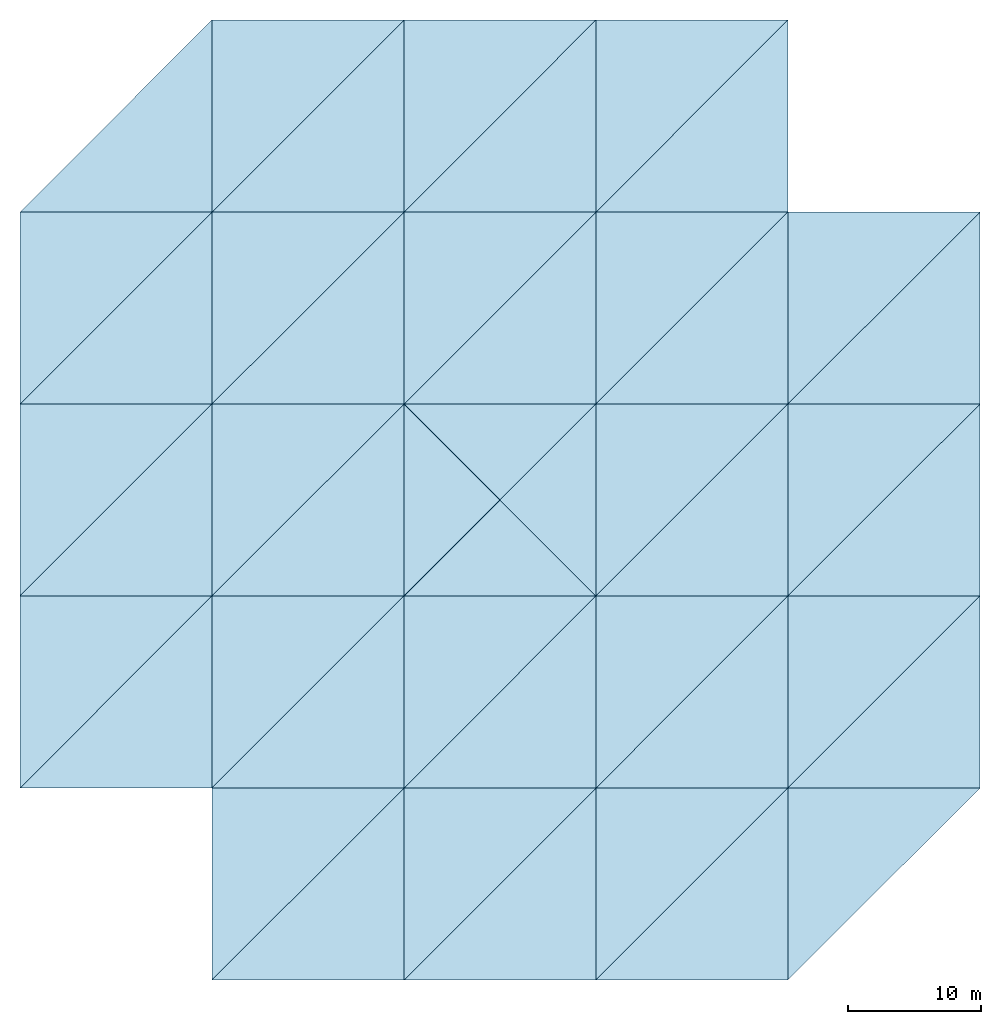
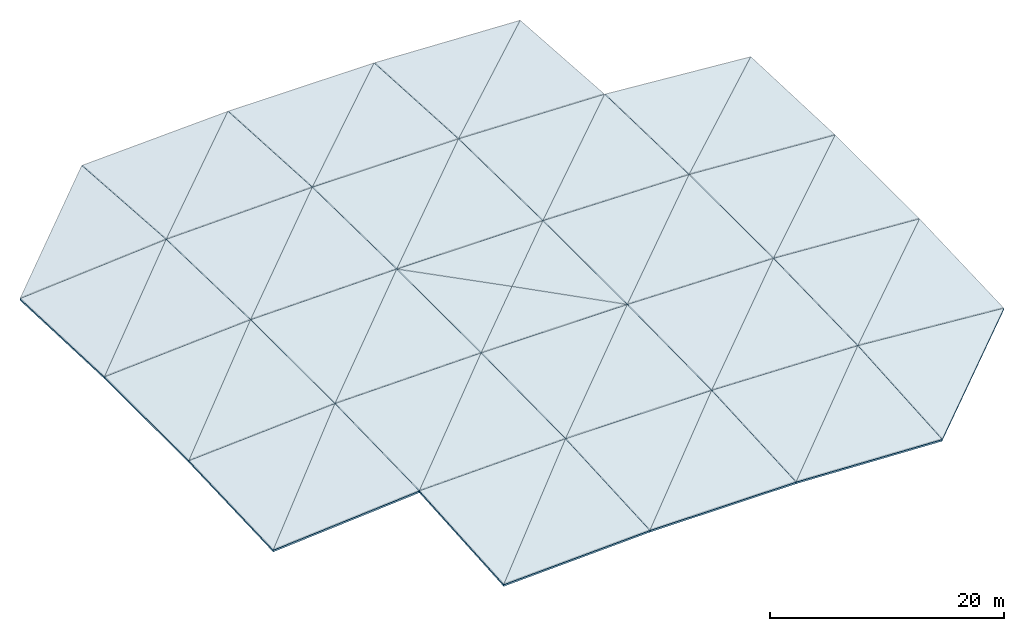
# One storey, part 1 of 2: 46 slabs.
"""IFC4 building model written with IfcOpenShell, lengths in metres."""

from ifc_helpers import new_model, si_unit, direction, frame, origin, place, context, subcontext, project, spatial, polyline, outline, extrude, material, layer, layer_set, type_object, element, save


model = new_model("IFC4")

# Units and contexts
model_context = context("Model", 3, precision=1e-05, world=origin(), true_north=direction((0.0, 1.0)))
body_context = subcontext(model_context, "Body", "Model", "MODEL_VIEW")
ifc_project = project(units=[si_unit("LENGTHUNIT", "METRE"), si_unit("AREAUNIT", "SQUARE_METRE"), si_unit("VOLUMEUNIT", "CUBIC_METRE"), si_unit("PLANEANGLEUNIT", "RADIAN"), si_unit("MASSUNIT", "GRAM", prefix="KILO")], contexts=[model_context])

# Site, building, storey
site_placement = place(None, origin())
site = spatial("IfcSite", under=ifc_project, at=site_placement, CompositionType="ELEMENT")
building_placement = place(site_placement, origin())
building = spatial("IfcBuilding", under=site, at=building_placement, Name="Qandorah Velis Arena", CompositionType="ELEMENT")
storey_placement = place(building_placement, frame((0.0, 0.0, 36.800048828125)))
storey = spatial("IfcBuildingStorey", under=building, at=storey_placement, Name="UPPER ROOF", CompositionType="ELEMENT", Elevation=36.800048828125)

# Slabs
ifc_material = material(Name="Concrete C40/50", Category="concrete")
ifc_layer = layer(ifc_material, 0.179931640625)
ifc_layer_set = layer_set([ifc_layer], Name="Concrete C40/50")
slab_type = type_object("IfcSlabType", Name="STR-SLB-RF180", PredefinedType="ROOF", material=ifc_layer_set)
slab_1_placement = place(storey_placement, frame((28.800048828125, 43.199951171875, 0.032470703125), z_axis=(-0.078283821559, -0.024939555716, 0.996619115732), x_axis=(0.996929199686, 0.0, 0.078308178464)))
element("IfcSlab", 1, at=slab_1_placement, inside=storey, type_object=slab_type, Name="Arena space-frame roof deck panel 1.2A", PredefinedType="ROOF", context=body_context, shape_type="SweptSolid", body=[
    extrude(outline(polyline([(0.0, 0.0), (14.444257775067433, 3.469446951953614e-18), (14.47247624953334, 14.40462688644703), (0.0, 0.0)])), origin(), (0.0, 0.0, -1.0), 0.179931640625),
])
slab_2_placement = place(storey_placement, frame((28.800048828125, 43.199951171875, 0.032470703125), z_axis=(-0.063417005913, -0.0398653065, 0.997190573912), x_axis=(0.705212045812, 0.705224002206, 0.07304161249)))
element("IfcSlab", 2, at=slab_2_placement, inside=storey, type_object=slab_type, Name="Arena space-frame roof deck panel 1.2B", PredefinedType="ROOF", context=body_context, shape_type="SweptSolid", body=[
    extrude(outline(polyline([(0.0, 0.0), (20.419251811245662, 1.6757428777935957e-15), (10.197377794032251, 10.183767303770669), (0.0, 0.0)])), origin(), (0.0, 0.0, -1.0), 0.179931640625),
])
slab_3_placement = place(storey_placement, frame((28.800048828125, 57.60009765625, 0.608154296875), z_axis=(-0.063467458562, 0.0, 0.997983908539), x_axis=(0.997983908539, 0.0, 0.063467458562)))
element("IfcSlab", 3, at=slab_3_placement, inside=storey, type_object=slab_type, Name="Arena space-frame roof deck panel 1.3A", PredefinedType="ROOF", context=body_context, shape_type="SweptSolid", body=[
    extrude(outline(polyline([(0.0, 0.0), (14.42899251233887, 0.0), (14.42899251233887, 14.39990234375), (0.0, 0.0)])), origin(), (0.0, 0.0, -1.0), 0.179931640625),
])
slab_4_placement = place(storey_placement, frame((28.800048828125, 57.60009765625, 0.608154296875), z_axis=(-0.063467458562, 0.0, 0.997983908539), x_axis=(0.706392906332, 0.706392906332, 0.044923532462)))
element("IfcSlab", 4, at=slab_4_placement, inside=storey, type_object=slab_type, Name="Arena space-frame roof deck panel 1.3B", PredefinedType="ROOF", context=body_context, shape_type="SweptSolid", body=[
    extrude(outline(polyline([(0.0, 0.0), (20.38511742499091, -1.3253287356462806e-15), (10.171988867492592, 10.19253795622776), (0.0, 0.0)])), origin(), (0.0, 0.0, -1.0), 0.179931640625),
])
slab_5_placement = place(storey_placement, frame((28.800048828125, 72.0, 0.608154296875), z_axis=(-0.063447675259, 0.024966347289, 0.997672829142), x_axis=(0.997983908539, 0.0, 0.063467458562)))
element("IfcSlab", 5, at=slab_5_placement, inside=storey, type_object=slab_type, Name="Arena space-frame roof deck panel 1.4A", PredefinedType="ROOF", context=body_context, shape_type="SweptSolid", body=[
    extrude(outline(polyline([(0.0, 0.0), (14.42899251233887, 3.469446951953614e-18), (14.40612191447798, 14.404392305608955), (0.0, 0.0)])), origin(), (0.0, 0.0, -1.0), 0.179931640625),
])
slab_6_placement = place(storey_placement, frame((28.800048828125, 72.0, 0.608154296875), z_axis=(-0.078246057619, 0.039823916224, 0.996138348907), x_axis=(0.706843932014, 0.706843932014, 0.027263740554)))
element("IfcSlab", 6, at=slab_6_placement, inside=storey, type_object=slab_type, Name="Arena space-frame roof deck panel 1.4B", PredefinedType="ROOF", context=body_context, shape_type="SweptSolid", body=[
    extrude(outline(polyline([(0.0, 0.0), (20.37211001120623, -9.228728892196614e-16), (10.162788305137997, 10.21794171908413), (0.0, 0.0)])), origin(), (0.0, 0.0, -1.0), 0.179931640625),
])
slab_7_placement = place(storey_placement, frame((28.800048828125, 86.39990234375, 0.032470703125), z_axis=(-0.078110209153, 0.071061720208, 0.994408883281), x_axis=(0.996929199686, 0.0, 0.078308178464)))
element("IfcSlab", 7, at=slab_7_placement, inside=storey, type_object=slab_type, Name="Arena space-frame roof deck panel 1.5A", PredefinedType="ROOF", context=body_context, shape_type="SweptSolid", body=[
    extrude(outline(polyline([(0.0, 0.0), (14.444257775067433, 0.0), (14.363674529895484, 14.43664346869382), (0.0, 0.0)])), origin(), (0.0, 0.0, -1.0), 0.179931640625),
])
slab_8_placement = place(storey_placement, frame((43.199951171875, 28.800048828125, 0.134521484375), z_axis=(-0.0418245215, -0.056116504307, 0.997547817072), x_axis=(0.999122206427, 0.0, 0.04189053145)))
element("IfcSlab", 8, at=slab_8_placement, inside=storey, type_object=slab_type, Name="Arena space-frame roof deck panel 2.1A", PredefinedType="ROOF", context=body_context, shape_type="SweptSolid", body=[
    extrude(outline(polyline([(0.0, 0.0), (14.412797945785726, 6.938893903907228e-18), (14.446731730783249, 14.42262912693385), (0.0, 0.0)])), origin(), (0.0, 0.0, -1.0), 0.179931640625),
])
slab_9_placement = place(storey_placement, frame((43.199951171875, 28.800048828125, 0.134521484375), z_axis=(-0.026642136218, -0.071255398523, 0.997102233855), x_axis=(0.705414832744, 0.705402873114, 0.069258215018)))
element("IfcSlab", 9, at=slab_9_placement, inside=storey, type_object=slab_type, Name="Arena space-frame roof deck panel 2.1B", PredefinedType="ROOF", context=body_context, shape_type="SweptSolid", body=[
    extrude(outline(polyline([(0.0, 0.0), (20.4137279455346, -1.1657341758564144e-15), (10.229002841386341, 10.1874254800009), (0.0, 0.0)])), origin(), (0.0, 0.0, -1.0), 0.179931640625),
])
slab_10_placement = place(storey_placement, frame((43.199951171875, 43.199951171875, 1.16357421875), z_axis=(-0.026707233121, -0.014472066679, 0.999538535018), x_axis=(0.999643223495, 0.0, 0.026710030352)))
element("IfcSlab", 10, at=slab_10_placement, inside=storey, type_object=slab_type, Name="Arena space-frame roof deck panel 2.2A", PredefinedType="ROOF", context=body_context, shape_type="SweptSolid", body=[
    extrude(outline(polyline([(0.0, 0.0), (14.40528595195664, 0.0), (14.41085488894889, 14.401654709772329), (0.0, 0.0)])), origin(), (0.0, 0.0, -1.0), 0.179931640625),
])
slab_11_placement = place(storey_placement, frame((43.199951171875, 43.199951171875, 1.16357421875), z_axis=(-0.01616697685, -0.025013058523, 0.999556389486), x_axis=(0.706806928788, 0.706806928788, 0.029119251936)))
element("IfcSlab", 11, at=slab_11_placement, inside=storey, type_object=slab_type, Name="Arena space-frame roof deck panel 2.2B", PredefinedType="ROOF", context=body_context, shape_type="SweptSolid", body=[
    extrude(outline(polyline([(0.0, 0.0), (20.373521958901698, 2.2104713892634464e-15), (10.188616478658702, 10.182640437080076), (0.0, 0.0)])), origin(), (0.0, 0.0, -1.0), 0.179931640625),
])
slab_12_placement = place(storey_placement, frame((43.199951171875, 57.60009765625, 1.52392578125), z_axis=(-0.016172036684, 0.0, 0.999869224064), x_axis=(0.999869224064, 0.0, 0.016172036684)))
element("IfcSlab", 12, at=slab_12_placement, inside=storey, type_object=slab_type, Name="Arena space-frame roof deck panel 2.3A", PredefinedType="ROOF", context=body_context, shape_type="SweptSolid", body=[
    extrude(outline(polyline([(0.0, 0.0), (14.40202992332477, 0.0), (14.40202992332477, 14.39990234375), (0.0, 0.0)])), origin(), (0.0, 0.0, -1.0), 0.179931640625),
])
slab_13_placement = place(storey_placement, frame((43.199951171875, 57.60009765625, 1.52392578125), z_axis=(-0.016172036684, 0.0, 0.999869224064), x_axis=(0.707066533383, 0.70705454575, 0.011436201496)))
element("IfcSlab", 13, at=slab_13_placement, inside=storey, type_object=slab_type, Name="Arena space-frame roof deck panel 2.3B", PredefinedType="ROOF", context=body_context, shape_type="SweptSolid", body=[
    extrude(outline(polyline([(0.0, 0.0), (20.366041672889672, 1.893884354897679e-15), (10.181516410504107, 10.183020725313895), (0.0, 0.0)])), origin(), (0.0, 0.0, -1.0), 0.179931640625),
])
slab_14_placement = place(storey_placement, frame((43.199951171875, 72.0, 1.52392578125), z_axis=(-0.016170342231, 0.014475583224, 0.999764461022), x_axis=(0.999869224064, 0.0, 0.016172036684)))
element("IfcSlab", 14, at=slab_14_placement, inside=storey, type_object=slab_type, Name="Arena space-frame roof deck panel 2.4A", PredefinedType="ROOF", context=body_context, shape_type="SweptSolid", body=[
    extrude(outline(polyline([(0.0, 0.0), (14.40202992332477, -4.336808689942018e-19), (14.39865811684809, 14.401411276731416), (0.0, 0.0)])), origin(), (0.0, 0.0, -1.0), 0.179931640625),
])
slab_15_placement = place(storey_placement, frame((43.199951171875, 72.0, 1.52392578125), z_axis=(-0.02670167693, 0.025007832073, 0.999330590337), x_axis=(0.707112267231, 0.707100278823, 0.001198840797)))
element("IfcSlab", 15, at=slab_15_placement, inside=storey, type_object=slab_type, Name="Arena space-frame roof deck panel 2.4B", PredefinedType="ROOF", context=body_context, shape_type="SweptSolid", body=[
    extrude(outline(polyline([(0.0, 0.0), (20.364724459894916, 1.1763593571467723e-16), (10.1817429581386, 10.189168321925397), (0.0, 0.0)])), origin(), (0.0, 0.0, -1.0), 0.179931640625),
])
slab_16_placement = place(storey_placement, frame((43.199951171875, 86.39990234375, 1.16357421875), z_axis=(-0.02666789904, 0.056144726532, 0.99806642707), x_axis=(0.999643223495, 0.0, 0.026710030352)))
element("IfcSlab", 16, at=slab_16_placement, inside=storey, type_object=slab_type, Name="Arena space-frame roof deck panel 2.5A", PredefinedType="ROOF", context=body_context, shape_type="SweptSolid", body=[
    extrude(outline(polyline([(0.0, 0.0), (14.40528595195664, 0.0), (14.383649262331017, 14.42289657282572), (0.0, 0.0)])), origin(), (0.0, 0.0, -1.0), 0.179931640625),
])
slab_17_placement = place(storey_placement, frame((43.199951171875, 86.39990234375, 1.16357421875), z_axis=(-0.041784164192, 0.071217247096, 0.996585263457), x_axis=(0.706952637561, 0.706952637561, -0.02087909219)))
element("IfcSlab", 17, at=slab_17_placement, inside=storey, type_object=slab_type, Name="Arena space-frame roof deck panel 2.5B", PredefinedType="ROOF", context=body_context, shape_type="SweptSolid", body=[
    extrude(outline(polyline([(0.0, 0.0), (20.369322807893827, -1.457167719820518e-16), (10.201707225305, 10.215103425357091), (0.0, 0.0)])), origin(), (0.0, 0.0, -1.0), 0.179931640625),
])
slab_18_placement = place(storey_placement, frame((57.60009765625, 28.800048828125, 0.73828125), z_axis=(0.0, -0.056165650832, 0.998421463945), x_axis=(1.0, 0.0, 0.0)))
element("IfcSlab", 18, at=slab_18_placement, inside=storey, type_object=slab_type, Name="Arena space-frame roof deck panel 3.1A", PredefinedType="ROOF", context=body_context, shape_type="SweptSolid", body=[
    extrude(outline(polyline([(0.0, 0.0), (14.39990234375, 0.0), (14.39990234375, 14.422669046845835), (0.0, 0.0)])), origin(), (0.0, 0.0, -1.0), 0.179931640625),
])
slab_19_placement = place(storey_placement, frame((57.60009765625, 28.800048828125, 0.73828125), z_axis=(0.0, -0.056165650832, 0.998421463945), x_axis=(0.706548023159, 0.706548023159, 0.039746470802)))
element("IfcSlab", 19, at=slab_19_placement, inside=storey, type_object=slab_type, Name="Arena space-frame roof deck panel 3.1B", PredefinedType="ROOF", context=body_context, shape_type="SweptSolid", body=[
    extrude(outline(polyline([(0.0, 0.0), (20.380642039552672, 8.465450562766819e-16), (10.206419504898511, 10.190308303720363), (0.0, 0.0)])), origin(), (0.0, 0.0, -1.0), 0.179931640625),
])
slab_20_placement = place(storey_placement, frame((57.60009765625, 43.199951171875, 1.54833984375), z_axis=(0.0, -0.014477230732, 0.999895199404), x_axis=(1.0, 0.0, 0.0)))
element("IfcSlab", 20, at=slab_20_placement, inside=storey, type_object=slab_type, Name="Arena space-frame roof deck panel 3.2A", PredefinedType="ROOF", context=body_context, shape_type="SweptSolid", body=[
    extrude(outline(polyline([(0.0, 0.0), (14.39990234375, 0.0), (14.39990234375, 14.401655786490895), (0.0, 0.0)])), origin(), (0.0, 0.0, -1.0), 0.179931640625),
])
slab_21_placement = place(storey_placement, frame((57.60009765625, 43.199951171875, 1.54833984375), z_axis=(0.0, -0.014477230732, 0.999895199404), x_axis=(0.70706373112, 0.707075718908, 0.010237571232)))
element("IfcSlab", 21, at=slab_21_placement, inside=storey, type_object=slab_type, Name="Arena space-frame roof deck panel 3.2B", PredefinedType="ROOF", context=body_context, shape_type="SweptSolid", body=[
    extrude(outline(polyline([(0.0, 0.0), (20.36577710037364, -1.3704315460216776e-16), (10.184128421437034, 10.182888474703292), (0.0, 0.0)])), origin(), (0.0, 0.0, -1.0), 0.179931640625),
])
for number, where, z_axis, x_axis, name in (
    (22, (57.60009765625, 57.60009765625, 1.7568359375), (0.0, -0.006001722971, 0.999981989498), (1.0, 0.0, 0.0), "Arena crown apex roof deck S"),
    (23, (72.0, 57.60009765625, 1.7568359375), (0.006001722971, 0.0, 0.999981989498), (0.0, 1.0, 0.0), "Arena crown apex roof deck E"),
    (24, (72.0, 72.0, 1.7568359375), (0.0, 0.006001722971, 0.999981989498), (-1.0, 0.0, 0.0), "Arena crown apex roof deck N"),
    (25, (57.60009765625, 72.0, 1.7568359375), (-0.006001722971, 0.0, 0.999981989498), (0.0, -1.0, 0.0), "Arena crown apex roof deck W"),
):
    element("IfcSlab", number, at=place(storey_placement, frame(where, z_axis=z_axis, x_axis=x_axis)), inside=storey, type_object=slab_type, Name=name, PredefinedType="ROOF", context=body_context, shape_type="SweptSolid", body=[
        extrude(outline(polyline([(0.0, 0.0), (14.39990234375, 0.0), (7.199951171875, 7.200080848941931), (0.0, 0.0)])), origin(), (0.0, 0.0, -1.0), 0.179931640625),
    ])
slab_22_placement = place(storey_placement, frame((57.60009765625, 72.0, 1.7568359375), z_axis=(0.0, 0.014477476133, 0.99989519585), x_axis=(1.0, 0.0, 0.0)))
element("IfcSlab", 26, at=slab_22_placement, inside=storey, type_object=slab_type, Name="Arena space-frame roof deck panel 3.4A", PredefinedType="ROOF", context=body_context, shape_type="SweptSolid", body=[
    extrude(outline(polyline([(0.0, 0.0), (14.39990234375, 0.0), (14.39990234375, 14.401411671452411), (0.0, 0.0)])), origin(), (0.0, 0.0, -1.0), 0.179931640625),
])
slab_23_placement = place(storey_placement, frame((57.60009765625, 72.0, 1.7568359375), z_axis=(0.0, 0.014477476133, 0.99989519585), x_axis=(0.707069724411, 0.707069724411, -0.010237658008)))
element("IfcSlab", 27, at=slab_23_placement, inside=storey, type_object=slab_type, Name="Arena space-frame roof deck panel 3.4B", PredefinedType="ROOF", context=body_context, shape_type="SweptSolid", body=[
    extrude(outline(polyline([(0.0, 0.0), (20.365604475197454, 3.924811864397526e-16), (10.18386949345067, 10.182802181669373), (0.0, 0.0)])), origin(), (0.0, 0.0, -1.0), 0.179931640625),
])
slab_24_placement = place(storey_placement, frame((57.60009765625, 86.39990234375, 1.54833984375), z_axis=(0.0, 0.056164701601, 0.998421517343), x_axis=(1.0, 0.0, 0.0)))
element("IfcSlab", 28, at=slab_24_placement, inside=storey, type_object=slab_type, Name="Arena space-frame roof deck panel 3.5A", PredefinedType="ROOF", context=body_context, shape_type="SweptSolid", body=[
    extrude(outline(polyline([(0.0, 0.0), (14.39990234375, 0.0), (14.39990234375, 14.422912802092574), (0.0, 0.0)])), origin(), (0.0, 0.0, -1.0), 0.179931640625),
])
slab_25_placement = place(storey_placement, frame((57.60009765625, 86.39990234375, 1.54833984375), z_axis=(0.0, 0.056164701601, 0.998421517343), x_axis=(0.706542043124, 0.706554022067, -0.039746134398)))
element("IfcSlab", 29, at=slab_25_placement, inside=storey, type_object=slab_type, Name="Arena space-frame roof deck panel 3.5B", PredefinedType="ROOF", context=body_context, shape_type="SweptSolid", body=[
    extrude(outline(polyline([(0.0, 0.0), (20.38081453736093, 4.85722573273506e-16), (10.206678114627602, 10.1903942789839), (0.0, 0.0)])), origin(), (0.0, 0.0, -1.0), 0.179931640625),
])
slab_26_placement = place(storey_placement, frame((72.0, 28.800048828125, 0.73828125), z_axis=(0.041784867784, -0.071218446304, 0.996585148259), x_axis=(0.999122176701, 0.0, -0.041891240429)))
element("IfcSlab", 30, at=slab_26_placement, inside=storey, type_object=slab_type, Name="Arena space-frame roof deck panel 4.1A", PredefinedType="ROOF", context=body_context, shape_type="SweptSolid", body=[
    extrude(outline(polyline([(0.0, 0.0), (14.412554019469427, -6.938893903907228e-18), (14.369445723959643, 14.436560487682641), (0.0, 0.0)])), origin(), (0.0, 0.0, -1.0), 0.179931640625),
])
slab_27_placement = place(storey_placement, frame((72.0, 28.800048828125, 0.73828125), z_axis=(0.026668349429, -0.05614567475, 0.998066361694), x_axis=(0.706952632336, 0.706952632336, 0.020879446026)))
element("IfcSlab", 31, at=slab_27_placement, inside=storey, type_object=slab_type, Name="Arena space-frame roof deck panel 4.1B", PredefinedType="ROOF", context=body_context, shape_type="SweptSolid", body=[
    extrude(outline(polyline([(0.0, 0.0), (20.368977616177542, -1.9567680809018384e-15), (10.196962441981986, 10.199771536247944), (0.0, 0.0)])), origin(), (0.0, 0.0, -1.0), 0.179931640625),
])
slab_28_placement = place(storey_placement, frame((72.0, 43.199951171875, 1.54833984375), z_axis=(0.026702129599, -0.025007408052, 0.999330588853), x_axis=(0.999643211403, 0.0, -0.026710482879)))
element("IfcSlab", 32, at=slab_28_placement, inside=storey, type_object=slab_type, Name="Arena space-frame roof deck panel 4.2A", PredefinedType="ROOF", context=body_context, shape_type="SweptSolid", body=[
    extrude(outline(polyline([(0.0, 0.0), (14.405041898436755, 0.0), (14.395416734196166, 14.404651310471463), (0.0, 0.0)])), origin(), (0.0, 0.0, -1.0), 0.179931640625),
])
slab_29_placement = place(storey_placement, frame((72.0, 43.199951171875, 1.54833984375), z_axis=(0.016170616374, -0.014475337792, 0.999764460141), x_axis=(0.707100278823, 0.707112267231, -0.001198840797)))
element("IfcSlab", 33, at=slab_29_placement, inside=storey, type_object=slab_type, Name="Arena space-frame roof deck panel 4.2B", PredefinedType="ROOF", context=body_context, shape_type="SweptSolid", body=[
    extrude(outline(polyline([(0.0, 0.0), (20.364724459894916, 2.8297676701871666e-16), (10.182270275404644, 10.184746507948923), (0.0, 0.0)])), origin(), (0.0, 0.0, -1.0), 0.179931640625),
])
slab_30_placement = place(storey_placement, frame((72.0, 57.60009765625, 1.7568359375), z_axis=(0.016172310799, 0.0, 0.99986921963), x_axis=(0.99986921963, 0.0, -0.016172310799)))
element("IfcSlab", 34, at=slab_30_placement, inside=storey, type_object=slab_type, Name="Arena space-frame roof deck panel 4.3A", PredefinedType="ROOF", context=body_context, shape_type="SweptSolid", body=[
    extrude(outline(polyline([(0.0, 0.0), (14.401785814628031, 0.0), (14.401785814628031, 14.39990234375), (0.0, 0.0)])), origin(), (0.0, 0.0, -1.0), 0.179931640625),
])
slab_31_placement = place(storey_placement, frame((72.0, 57.60009765625, 1.7568359375), z_axis=(0.016172310799, 0.0, 0.99986921963), x_axis=(0.707060538808, 0.707060538808, -0.01143629843)))
element("IfcSlab", 35, at=slab_31_placement, inside=storey, type_object=slab_type, Name="Arena space-frame roof deck panel 4.3B", PredefinedType="ROOF", context=body_context, shape_type="SweptSolid", body=[
    extrude(outline(polyline([(0.0, 0.0), (20.365869049956054, -7.41594285980085e-17), (10.181602709950852, 10.1829344378847), (0.0, 0.0)])), origin(), (0.0, 0.0, -1.0), 0.179931640625),
])
slab_32_placement = place(storey_placement, frame((72.0, 72.0, 1.7568359375), z_axis=(0.016167250707, 0.025013482227, 0.999556374454), x_axis=(0.99986921963, 0.0, -0.016172310799)))
element("IfcSlab", 36, at=slab_32_placement, inside=storey, type_object=slab_type, Name="Arena space-frame roof deck panel 4.4A", PredefinedType="ROOF", context=body_context, shape_type="SweptSolid", body=[
    extrude(outline(polyline([(0.0, 0.0), (14.401785814628031, 0.0), (14.407613532093565, 14.404409283127237), (0.0, 0.0)])), origin(), (0.0, 0.0, -1.0), 0.179931640625),
])
slab_33_placement = place(storey_placement, frame((72.0, 72.0, 1.7568359375), z_axis=(0.026707685506, 0.014472311816, 0.999538519381), x_axis=(0.706806918627, 0.706806918627, -0.029119745215)))
element("IfcSlab", 37, at=slab_33_placement, inside=storey, type_object=slab_type, Name="Arena space-frame roof deck panel 4.4B", PredefinedType="ROOF", context=body_context, shape_type="SweptSolid", body=[
    extrude(outline(polyline([(0.0, 0.0), (20.37317683833348, -8.586881206085195e-17), (10.184021957247168, 10.1826496996093), (0.0, 0.0)])), origin(), (0.0, 0.0, -1.0), 0.179931640625),
])
slab_34_placement = place(storey_placement, frame((72.0, 86.39990234375, 1.54833984375), z_axis=(0.02664258989, 0.071254195733, 0.997102307687), x_axis=(0.999643211403, 0.0, -0.026710482879)))
element("IfcSlab", 38, at=slab_34_placement, inside=storey, type_object=slab_type, Name="Arena space-frame roof deck panel 4.5A", PredefinedType="ROOF", context=body_context, shape_type="SweptSolid", body=[
    extrude(outline(polyline([(0.0, 0.0), (14.405041898436755, 3.469446951953614e-18), (14.432528393879904, 14.436842202994068), (0.0, 0.0)])), origin(), (0.0, 0.0, -1.0), 0.179931640625),
])
slab_35_placement = place(storey_placement, frame((72.0, 86.39990234375, 1.54833984375), z_axis=(0.041825231599, 0.056115554238, 0.997547840745), x_axis=(0.705402873114, 0.705414832744, -0.069258215018)))
element("IfcSlab", 39, at=slab_35_placement, inside=storey, type_object=slab_type, Name="Arena space-frame roof deck panel 4.5B", PredefinedType="ROOF", context=body_context, shape_type="SweptSolid", body=[
    extrude(outline(polyline([(0.0, 0.0), (20.4137279455346, 2.0556473190325164e-15), (10.214180136023677, 10.18287473386692), (0.0, 0.0)])), origin(), (0.0, 0.0, -1.0), 0.179931640625),
])
slab_36_placement = place(storey_placement, frame((86.39990234375, 28.800048828125, 0.134521484375), z_axis=(0.078108886261, -0.071062926278, 0.994408901004), x_axis=(0.707103897133, 0.707091908867, -0.005011095214)))
element("IfcSlab", 40, at=slab_36_placement, inside=storey, type_object=slab_type, Name="Arena space-frame roof deck panel 5.1B", PredefinedType="ROOF", context=body_context, shape_type="SweptSolid", body=[
    extrude(outline(polyline([(0.0, 0.0), (20.364965520298536, -6.730727086790012e-16), (10.176897754502468, 10.239476995143065), (0.0, 0.0)])), origin(), (0.0, 0.0, -1.0), 0.179931640625),
])
slab_37_placement = place(storey_placement, frame((86.39990234375, 43.199951171875, 1.16357421875), z_axis=(0.078244741258, -0.039823246252, 0.99613847909), x_axis=(0.996929303331, 0.0, -0.078306858965)))
element("IfcSlab", 41, at=slab_37_placement, inside=storey, type_object=slab_type, Name="Arena space-frame roof deck panel 5.2A", PredefinedType="ROOF", context=body_context, shape_type="SweptSolid", body=[
    extrude(outline(polyline([(0.0, 0.0), (14.444501165997979, -6.938893903907228e-18), (14.399421192013756, 14.411578614694378), (0.0, 0.0)])), origin(), (0.0, 0.0, -1.0), 0.179931640625),
])
slab_38_placement = place(storey_placement, frame((86.39990234375, 43.199951171875, 1.16357421875), z_axis=(0.063446604565, -0.024965925977, 0.997672907776), x_axis=(0.706843940922, 0.706843940922, -0.027263278667)))
element("IfcSlab", 42, at=slab_38_placement, inside=storey, type_object=slab_type, Name="Arena space-frame roof deck panel 5.2B", PredefinedType="ROOF", context=body_context, shape_type="SweptSolid", body=[
    extrude(outline(polyline([(0.0, 0.0), (20.372455149847084, -1.5890067039947553e-15), (10.16883192580357, 10.202398212421034), (0.0, 0.0)])), origin(), (0.0, 0.0, -1.0), 0.179931640625),
])
slab_39_placement = place(storey_placement, frame((86.39990234375, 57.60009765625, 1.52392578125), z_axis=(0.063466386867, 0.0, 0.997983976694), x_axis=(0.997983976694, 0.0, -0.063466386867)))
element("IfcSlab", 43, at=slab_39_placement, inside=storey, type_object=slab_type, Name="Arena space-frame roof deck panel 5.3A", PredefinedType="ROOF", context=body_context, shape_type="SweptSolid", body=[
    extrude(outline(polyline([(0.0, 0.0), (14.429236160762358, 0.0), (14.429236160762358, 14.39990234375), (0.0, 0.0)])), origin(), (0.0, 0.0, -1.0), 0.179931640625),
])
slab_40_placement = place(storey_placement, frame((86.39990234375, 57.60009765625, 1.52392578125), z_axis=(0.063466386867, 0.0, 0.997983976694), x_axis=(0.706398906548, 0.706386930234, -0.044923152408)))
element("IfcSlab", 44, at=slab_40_placement, inside=storey, type_object=slab_type, Name="Arena space-frame roof deck panel 5.3B", PredefinedType="ROOF", context=body_context, shape_type="SweptSolid", body=[
    extrude(outline(polyline([(0.0, 0.0), (20.38528988492901, -7.008282842946301e-16), (10.171902812274329, 10.192623837225742), (0.0, 0.0)])), origin(), (0.0, 0.0, -1.0), 0.179931640625),
])
slab_41_placement = place(storey_placement, frame((86.39990234375, 72.0, 1.52392578125), z_axis=(0.063415933354, 0.039865984033, 0.997190615035), x_axis=(0.997983976694, 0.0, -0.063466386867)))
element("IfcSlab", 45, at=slab_41_placement, inside=storey, type_object=slab_type, Name="Arena space-frame roof deck panel 5.4A", PredefinedType="ROOF", context=body_context, shape_type="SweptSolid", body=[
    extrude(outline(polyline([(0.0, 0.0), (14.429236160762358, -6.938893903907228e-18), (14.46577271843631, 14.411358859927224), (0.0, 0.0)])), origin(), (0.0, 0.0, -1.0), 0.179931640625),
])
slab_42_placement = place(storey_placement, frame((86.39990234375, 72.0, 1.52392578125), z_axis=(0.07828250164, 0.024939980878, 0.996619208771), x_axis=(0.705224002206, 0.705212045812, -0.07304161249)))
element("IfcSlab", 46, at=slab_42_placement, inside=storey, type_object=slab_type, Name="Arena space-frame roof deck panel 5.4B", PredefinedType="ROOF", context=body_context, shape_type="SweptSolid", body=[
    extrude(outline(polyline([(0.0, 0.0), (20.419251811245662, -2.0469737016526324e-15), (10.181305250510801, 10.189605691784845), (0.0, 0.0)])), origin(), (0.0, 0.0, -1.0), 0.179931640625),
])

save(model, "model.ifc")
